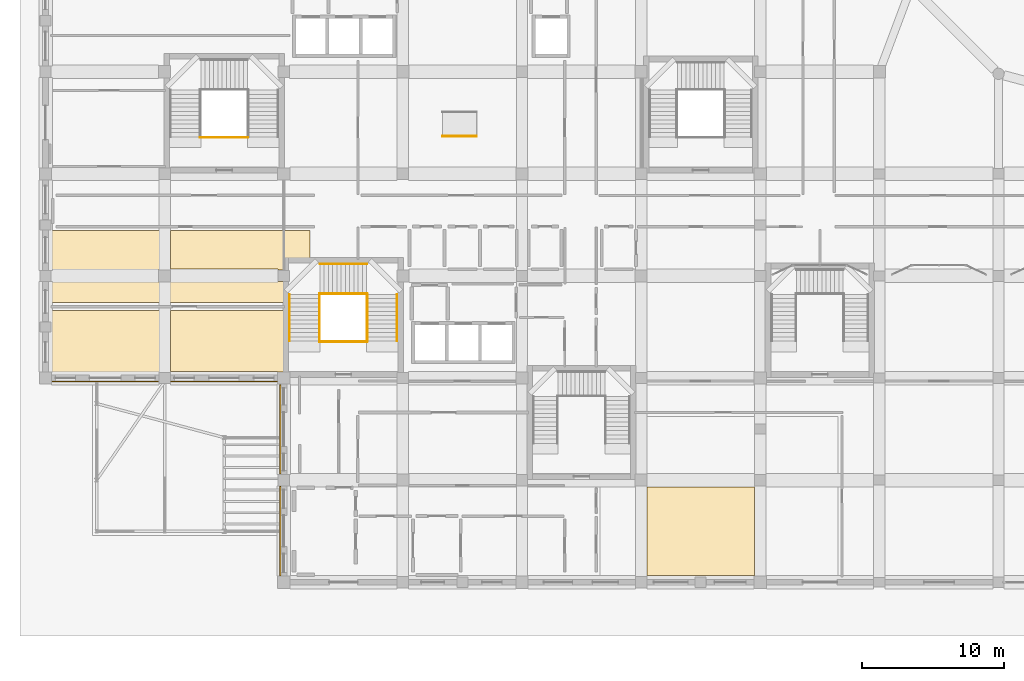
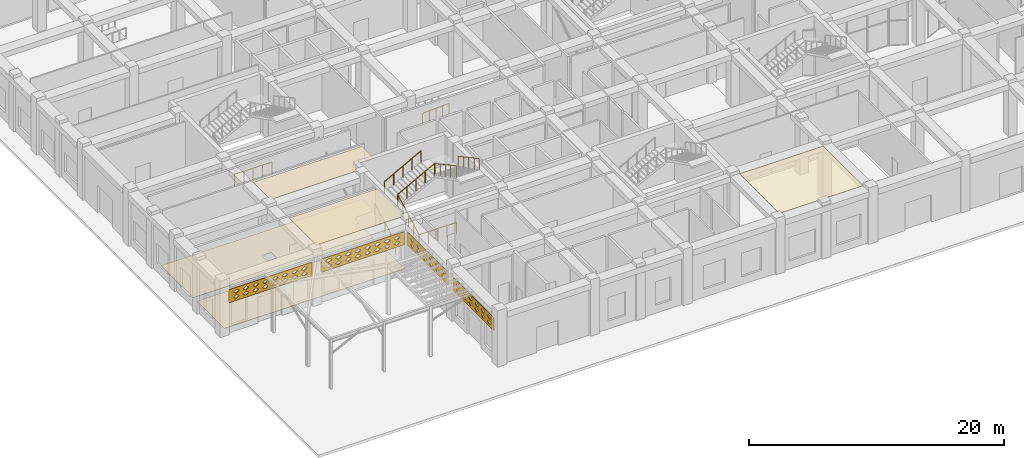
# One storey, part 79 of 84: 9 coverings, 9 railings.
"""IFC4 building model written with IfcOpenShell, lengths in metres."""

from ifc_helpers import new_model, si_unit, derived_unit, direction, frame, origin, origin_2d, place, context, subcontext, project, spatial, polyline, circle, outline, extrude, material, layer, layer_set, type_object, element, save


model = new_model("IFC4")

# Units and contexts
model_context = context("Model", 3, precision=1e-05, world=origin(), true_north=direction((0.0, 1.0)))
body_context = subcontext(model_context, "Body", "Model", "MODEL_VIEW")
ifc_project = project(units=[si_unit("LENGTHUNIT", "METRE"), si_unit("AREAUNIT", "SQUARE_METRE"), si_unit("VOLUMEUNIT", "CUBIC_METRE"), si_unit("PLANEANGLEUNIT", "RADIAN"), si_unit("MASSUNIT", "GRAM", prefix="KILO"), derived_unit("THERMALTRANSMITTANCEUNIT", [(si_unit("POWERUNIT", "WATT"), 1), (si_unit("LENGTHUNIT", "METRE"), -2), (si_unit("THERMODYNAMICTEMPERATUREUNIT", "KELVIN"), -1)])], contexts=[model_context])

# Site, building, storey
site_placement = place(None, origin())
site = spatial("IfcSite", under=ifc_project, at=site_placement, CompositionType="ELEMENT")
building_placement = place(site_placement, origin())
building = spatial("IfcBuilding", under=site, at=building_placement, Name="Veybourne Emporium", CompositionType="ELEMENT")
storey_placement = place(building_placement, origin())
storey = spatial("IfcBuildingStorey", under=building, at=storey_placement, Name="L00", CompositionType="ELEMENT", Elevation=0.0)

# Coverings
ifc_material_1 = material(Name="Mineral Acoustic Ceiling", Category="gypsum")
ifc_layer_1 = layer(ifc_material_1, 0.02490234375)
ifc_layer_set_1 = layer_set([ifc_layer_1], Name="Mineral Acoustic Ceiling")
covering_type_1 = type_object("IfcCoveringType", Name="Ceiling_CLG-01", PredefinedType="CEILING", material=ifc_layer_set_1)
covering_1_placement = place(storey_placement, frame((0.0, 0.0, 5.054931640625)))
element("IfcCovering", 1, at=covering_1_placement, inside=storey, type_object=covering_type_1, Name="L00 coffered acoustic ceiling 01", PredefinedType="CEILING", context=body_context, shape_type="SweptSolid", body=[
    extrude(outline(polyline([(16.790283203125, 14.840087890625), (16.375, 14.840087890625), (16.375, 14.873046875), (8.800048828125, 14.873046875), (8.800048828125, 14.840087890625), (8.798095703125, 14.840087890625), (8.798095703125, 19.159912109375), (16.7900390625, 19.159912109375), (16.7900390625, 14.85009765625), (16.790283203125, 14.840087890625), (16.790283203125, 14.840087890625)])), origin(), (0.0, 0.0, 1.0), 0.025146484375),
])
covering_2_placement = place(storey_placement, frame((0.0, 0.0, 5.054931640625)))
element("IfcCovering", 2, at=covering_2_placement, inside=storey, type_object=covering_type_1, Name="L00 coffered acoustic ceiling 02", PredefinedType="CEILING", context=body_context, shape_type="SweptSolid", body=[
    extrude(outline(polyline([(18.6533203125, 24.7900390625), (18.6533203125, 22.860107421875), (17.14990234375, 22.860107421875), (17.14013671875, 22.85986328125), (17.12451171875, 22.85888671875), (17.10498046875, 22.857177734375), (17.089599609375, 22.854736328125), (17.070068359375, 22.850830078125), (17.054931640625, 22.84716796875), (17.0361328125, 22.84130859375), (17.021484375, 22.836181640625), (17.003173828125, 22.82861328125), (16.989013671875, 22.822021484375), (16.9716796875, 22.812744140625), (16.958251953125, 22.8046875), (16.94189453125, 22.793701171875), (16.92919921875, 22.7841796875), (16.914306640625, 22.77197265625), (16.902587890625, 22.761474609375), (16.888671875, 22.747314453125), (16.878173828125, 22.73583984375), (16.86572265625, 22.720703125), (16.8564453125, 22.7080078125), (16.845458984375, 22.691650390625), (16.83740234375, 22.67822265625), (16.828125, 22.660888671875), (16.8212890625, 22.646728515625), (16.81396484375, 22.628662109375), (16.80859375, 22.61376953125), (16.802978515625, 22.594970703125), (16.799072265625, 22.579833984375), (16.795166015625, 22.560546875), (16.79296875, 22.544921875), (16.791015625, 22.525390625), (16.790283203125, 22.509765625), (16.7900390625, 22.5), (16.7900390625, 22.0048828125), (16.39990234375, 22.0048828125), (16.39990234375, 22.072998046875), (8.824951171875, 22.072998046875), (8.824951171875, 22.030029296875), (8.798095703125, 22.030029296875), (8.798095703125, 24.7900390625), (18.6533203125, 24.7900390625)])), origin(), (0.0, 0.0, 1.0), 0.025146484375),
])
covering_3_placement = place(storey_placement, frame((0.0, 0.0, 5.054931640625)))
element("IfcCovering", 3, at=covering_3_placement, inside=storey, type_object=covering_type_1, Name="L00 coffered acoustic ceiling 06", PredefinedType="CEILING", context=body_context, shape_type="SweptSolid", body=[
    extrude(outline(polyline([(42.425048828125, 6.77001953125), (42.425048828125, 6.72705078125), (50.0, 6.72705078125), (50.0, 6.794921875), (50.001953125, 6.794921875), (50.001953125, 0.43994140625), (49.97509765625, 0.43994140625), (49.97509765625, 0.472900390625), (42.39990234375, 0.472900390625), (42.39990234375, 0.43994140625), (42.39794921875, 0.43994140625), (42.39794921875, 6.77001953125), (42.425048828125, 6.77001953125)])), origin(), (0.0, 0.0, 1.0), 0.025146484375),
])
ifc_material_2 = material(Name="Venetian Terrazzo Flooring", Category="masonry")
ifc_layer_2 = layer(ifc_material_2, 0.044921875)
ifc_layer_set_2 = layer_set([ifc_layer_2], Name="Venetian Terrazzo Flooring")
covering_type_2 = type_object("IfcCoveringType", Name="Flooring_FLR-01", PredefinedType="FLOORING", material=ifc_layer_set_2)
covering_4_placement = place(storey_placement, origin())
element("IfcCovering", 4, at=covering_4_placement, inside=storey, type_object=covering_type_2, Name="L00 floor finish 01", PredefinedType="FLOORING", context=body_context, shape_type="SweptSolid", body=[
    extrude(outline(polyline([(16.790283203125, 14.840087890625), (16.790283203125, 14.840087890625), (0.43994140625, 14.840087890625), (0.43994140625, 19.159912109375), (16.7900390625, 19.159912109375), (16.7900390625, 14.85009765625), (16.790283203125, 14.840087890625)])), origin(), (0.0, 0.0, 1.0), 0.044921875),
])
ifc_material_3 = material(Name="European Oak Parquet", Category="wood")
ifc_layer_3 = layer(ifc_material_3, 0.034912109375)
ifc_layer_set_3 = layer_set([ifc_layer_3], Name="European Oak Parquet")
covering_type_3 = type_object("IfcCoveringType", Name="Flooring_FLR-02", PredefinedType="FLOORING", material=ifc_layer_set_3)
covering_5_placement = place(storey_placement, origin())
element("IfcCovering", 5, at=covering_5_placement, inside=storey, type_object=covering_type_3, Name="L00 floor finish 02", PredefinedType="FLOORING", context=body_context, shape_type="SweptSolid", body=[
    extrude(outline(polyline([(0.453369140625, 24.8212890625), (0.471435546875, 24.81396484375), (0.486083984375, 24.80859375), (0.5048828125, 24.802978515625), (0.520263671875, 24.799072265625), (0.53955078125, 24.795166015625), (0.554931640625, 24.79296875), (0.574462890625, 24.791015625), (0.590087890625, 24.790283203125), (0.60009765625, 24.7900390625), (18.6533203125, 24.7900390625), (18.6533203125, 22.860107421875), (17.14990234375, 22.860107421875), (17.14013671875, 22.85986328125), (17.12451171875, 22.85888671875), (17.10498046875, 22.857177734375), (17.089599609375, 22.854736328125), (17.070068359375, 22.850830078125), (17.054931640625, 22.84716796875), (17.0361328125, 22.84130859375), (17.021484375, 22.836181640625), (17.003173828125, 22.82861328125), (16.989013671875, 22.822021484375), (16.9716796875, 22.812744140625), (16.958251953125, 22.8046875), (16.94189453125, 22.793701171875), (16.92919921875, 22.7841796875), (16.914306640625, 22.77197265625), (16.902587890625, 22.761474609375), (16.888671875, 22.747314453125), (16.878173828125, 22.73583984375), (16.86572265625, 22.720703125), (16.8564453125, 22.7080078125), (16.845458984375, 22.691650390625), (16.83740234375, 22.67822265625), (16.828125, 22.660888671875), (16.8212890625, 22.646728515625), (16.81396484375, 22.628662109375), (16.80859375, 22.61376953125), (16.802978515625, 22.594970703125), (16.799072265625, 22.579833984375), (16.795166015625, 22.560546875), (16.79296875, 22.544921875), (16.791015625, 22.525390625), (16.790283203125, 22.509765625), (16.7900390625, 22.5), (16.7900390625, 22.0048828125), (16.39501953125, 22.0048828125), (16.39501953125, 21.195068359375), (16.7900390625, 21.195068359375), (16.7900390625, 19.719970703125), (0.43994140625, 19.719970703125), (0.43994140625, 24.82763671875), (0.453369140625, 24.8212890625)]), holes=[polyline([(8.830078125, 22.030029296875), (7.969970703125, 22.030029296875), (7.969970703125, 21.169921875), (8.830078125, 21.169921875), (8.830078125, 22.030029296875)])]), origin(), (0.0, 0.0, 1.0), 0.034912109375),
])
ifc_material_4 = material(Name="Patinated Dark Bronze Fretwork", Category="bronze")
ifc_layer_4 = layer(ifc_material_4, 0.06005859375)
ifc_layer_set_4 = layer_set([ifc_layer_4], Name="Patinated Dark Bronze Fretwork")
covering_type_4 = type_object("IfcCoveringType", Name="Fretwork_FRT-01", PredefinedType="CLADDING", material=ifc_layer_set_4)
covering_6_placement = place(storey_placement, frame((4.21240234375, 14.130859375, 3.550048828125), z_axis=(0.0, 1.0, 0.0), x_axis=(-1.0, 0.0, 0.0)))
element("IfcCovering", 6, at=covering_6_placement, inside=storey, type_object=covering_type_4, Name="Corner entrance dark bronze lace fretwork frieze L00-001", PredefinedType="CLADDING", context=body_context, shape_type="SweptSolid", body=[
    extrude(outline(polyline([(-3.74755859375, -0.625), (3.74755859375, -0.625), (3.74755859375, 0.625), (-3.74755859375, 0.625), (-3.74755859375, -0.625)]), holes=[polyline([(-3.086669921875, -0.060546875), (-2.806640625, -0.25244140625), (-3.086669921875, -0.4443359375), (-3.36669921875, -0.25244140625), (-3.086669921875, -0.060546875)]), polyline([(-3.086669921875, 0.4443359375), (-2.806640625, 0.25244140625), (-3.086669921875, 0.060546875), (-3.36669921875, 0.25244140625), (-3.086669921875, 0.4443359375)]), polyline([(-2.20458984375, -0.060546875), (-1.9248046875, -0.25244140625), (-2.20458984375, -0.4443359375), (-2.484619140625, -0.25244140625), (-2.20458984375, -0.060546875)]), polyline([(-2.20458984375, 0.4443359375), (-1.9248046875, 0.25244140625), (-2.20458984375, 0.060546875), (-2.484619140625, 0.25244140625), (-2.20458984375, 0.4443359375)]), polyline([(-1.32275390625, -0.060546875), (-1.042724609375, -0.25244140625), (-1.32275390625, -0.4443359375), (-1.602783203125, -0.25244140625), (-1.32275390625, -0.060546875)]), polyline([(-1.32275390625, 0.4443359375), (-1.042724609375, 0.25244140625), (-1.32275390625, 0.060546875), (-1.602783203125, 0.25244140625), (-1.32275390625, 0.4443359375)]), polyline([(-0.44091796875, -0.060546875), (-0.160888671875, -0.25244140625), (-0.44091796875, -0.4443359375), (-0.720947265625, -0.25244140625), (-0.44091796875, -0.060546875)]), polyline([(-0.44091796875, 0.4443359375), (-0.160888671875, 0.25244140625), (-0.44091796875, 0.060546875), (-0.720947265625, 0.25244140625), (-0.44091796875, 0.4443359375)]), polyline([(0.44091796875, -0.060546875), (0.720947265625, -0.25244140625), (0.44091796875, -0.4443359375), (0.160888671875, -0.25244140625), (0.44091796875, -0.060546875)]), polyline([(0.44091796875, 0.4443359375), (0.720947265625, 0.25244140625), (0.44091796875, 0.060546875), (0.160888671875, 0.25244140625), (0.44091796875, 0.4443359375)]), polyline([(1.32275390625, -0.060546875), (1.602783203125, -0.25244140625), (1.32275390625, -0.4443359375), (1.042724609375, -0.25244140625), (1.32275390625, -0.060546875)]), polyline([(1.32275390625, 0.4443359375), (1.602783203125, 0.25244140625), (1.32275390625, 0.060546875), (1.042724609375, 0.25244140625), (1.32275390625, 0.4443359375)]), polyline([(2.20458984375, -0.060546875), (2.484619140625, -0.25244140625), (2.20458984375, -0.4443359375), (1.9248046875, -0.25244140625), (2.20458984375, -0.060546875)]), polyline([(2.20458984375, 0.4443359375), (2.484619140625, 0.25244140625), (2.20458984375, 0.060546875), (1.9248046875, 0.25244140625), (2.20458984375, 0.4443359375)]), polyline([(3.086669921875, -0.060546875), (3.36669921875, -0.25244140625), (3.086669921875, -0.4443359375), (2.806640625, -0.25244140625), (3.086669921875, -0.060546875)]), polyline([(3.086669921875, 0.4443359375), (3.36669921875, 0.25244140625), (3.086669921875, 0.060546875), (2.806640625, 0.25244140625), (3.086669921875, 0.4443359375)])]), origin(), (0.0, 0.0, 1.0), 0.06005859375),
])
covering_7_placement = place(storey_placement, frame((12.58740234375, 14.130859375, 3.550048828125), z_axis=(0.0, 1.0, 0.0), x_axis=(-1.0, 0.0, 0.0)))
element("IfcCovering", 7, at=covering_7_placement, inside=storey, type_object=covering_type_4, Name="Corner entrance dark bronze lace fretwork frieze L00-012", PredefinedType="CLADDING", context=body_context, shape_type="SweptSolid", body=[
    extrude(outline(polyline([(-3.74755859375, -0.625), (3.74755859375, -0.625), (3.74755859375, 0.625), (-3.74755859375, 0.625), (-3.74755859375, -0.625)]), holes=[polyline([(-3.086669921875, -0.060546875), (-2.806640625, -0.25244140625), (-3.086669921875, -0.4443359375), (-3.36669921875, -0.25244140625), (-3.086669921875, -0.060546875)]), polyline([(-3.086669921875, 0.4443359375), (-2.806640625, 0.25244140625), (-3.086669921875, 0.060546875), (-3.36669921875, 0.25244140625), (-3.086669921875, 0.4443359375)]), polyline([(-2.20458984375, -0.060546875), (-1.9248046875, -0.25244140625), (-2.20458984375, -0.4443359375), (-2.484619140625, -0.25244140625), (-2.20458984375, -0.060546875)]), polyline([(-2.20458984375, 0.4443359375), (-1.9248046875, 0.25244140625), (-2.20458984375, 0.060546875), (-2.484619140625, 0.25244140625), (-2.20458984375, 0.4443359375)]), polyline([(-1.32275390625, -0.060546875), (-1.042724609375, -0.25244140625), (-1.32275390625, -0.4443359375), (-1.602783203125, -0.25244140625), (-1.32275390625, -0.060546875)]), polyline([(-1.32275390625, 0.4443359375), (-1.042724609375, 0.25244140625), (-1.32275390625, 0.060546875), (-1.602783203125, 0.25244140625), (-1.32275390625, 0.4443359375)]), polyline([(-0.44091796875, -0.060546875), (-0.160888671875, -0.25244140625), (-0.44091796875, -0.4443359375), (-0.720947265625, -0.25244140625), (-0.44091796875, -0.060546875)]), polyline([(-0.44091796875, 0.4443359375), (-0.160888671875, 0.25244140625), (-0.44091796875, 0.060546875), (-0.720947265625, 0.25244140625), (-0.44091796875, 0.4443359375)]), polyline([(0.44091796875, -0.060546875), (0.720947265625, -0.25244140625), (0.44091796875, -0.4443359375), (0.160888671875, -0.25244140625), (0.44091796875, -0.060546875)]), polyline([(0.44091796875, 0.4443359375), (0.720947265625, 0.25244140625), (0.44091796875, 0.060546875), (0.160888671875, 0.25244140625), (0.44091796875, 0.4443359375)]), polyline([(1.32275390625, -0.060546875), (1.602783203125, -0.25244140625), (1.32275390625, -0.4443359375), (1.042724609375, -0.25244140625), (1.32275390625, -0.060546875)]), polyline([(1.32275390625, 0.4443359375), (1.602783203125, 0.25244140625), (1.32275390625, 0.060546875), (1.042724609375, 0.25244140625), (1.32275390625, 0.4443359375)]), polyline([(2.20458984375, -0.060546875), (2.484619140625, -0.25244140625), (2.20458984375, -0.4443359375), (1.9248046875, -0.25244140625), (2.20458984375, -0.060546875)]), polyline([(2.20458984375, 0.4443359375), (2.484619140625, 0.25244140625), (2.20458984375, 0.060546875), (1.9248046875, 0.25244140625), (2.20458984375, 0.4443359375)]), polyline([(3.086669921875, -0.060546875), (3.36669921875, -0.25244140625), (3.086669921875, -0.4443359375), (2.806640625, -0.25244140625), (3.086669921875, -0.060546875)]), polyline([(3.086669921875, 0.4443359375), (3.36669921875, 0.25244140625), (3.086669921875, 0.060546875), (2.806640625, 0.25244140625), (3.086669921875, 0.4443359375)])]), origin(), (0.0, 0.0, 1.0), 0.06005859375),
])
covering_8_placement = place(storey_placement, frame((16.531005859375, 3.612548828125, 3.550048828125), z_axis=(1.0, 0.0, 0.0), x_axis=(0.0, 1.0, 0.0)))
element("IfcCovering", 8, at=covering_8_placement, inside=storey, type_object=covering_type_4, Name="Corner entrance dark bronze lace fretwork frieze L00-015", PredefinedType="CLADDING", context=body_context, shape_type="SweptSolid", body=[
    extrude(outline(polyline([(-3.1474609375, -0.625), (3.1474609375, -0.625), (3.1474609375, 0.625), (-3.1474609375, 0.625), (-3.1474609375, -0.625)]), holes=[polyline([(-2.439697265625, -0.060546875), (-2.15966796875, -0.25244140625), (-2.439697265625, -0.4443359375), (-2.719482421875, -0.25244140625), (-2.439697265625, -0.060546875)]), polyline([(-2.439697265625, 0.4443359375), (-2.15966796875, 0.25244140625), (-2.439697265625, 0.060546875), (-2.719482421875, 0.25244140625), (-2.439697265625, 0.4443359375)]), polyline([(-1.4638671875, -0.060546875), (-1.183837890625, -0.25244140625), (-1.4638671875, -0.4443359375), (-1.743896484375, -0.25244140625), (-1.4638671875, -0.060546875)]), polyline([(-1.4638671875, 0.4443359375), (-1.183837890625, 0.25244140625), (-1.4638671875, 0.060546875), (-1.743896484375, 0.25244140625), (-1.4638671875, 0.4443359375)]), polyline([(-0.48779296875, -0.060546875), (-0.2080078125, -0.25244140625), (-0.48779296875, -0.4443359375), (-0.767822265625, -0.25244140625), (-0.48779296875, -0.060546875)]), polyline([(-0.48779296875, 0.4443359375), (-0.2080078125, 0.25244140625), (-0.48779296875, 0.060546875), (-0.767822265625, 0.25244140625), (-0.48779296875, 0.4443359375)]), polyline([(0.48779296875, -0.060546875), (0.767822265625, -0.25244140625), (0.48779296875, -0.4443359375), (0.2080078125, -0.25244140625), (0.48779296875, -0.060546875)]), polyline([(0.48779296875, 0.4443359375), (0.767822265625, 0.25244140625), (0.48779296875, 0.060546875), (0.2080078125, 0.25244140625), (0.48779296875, 0.4443359375)]), polyline([(1.463623046875, -0.060546875), (1.74365234375, -0.25244140625), (1.463623046875, -0.4443359375), (1.18359375, -0.25244140625), (1.463623046875, -0.060546875)]), polyline([(1.463623046875, 0.4443359375), (1.74365234375, 0.25244140625), (1.463623046875, 0.060546875), (1.18359375, 0.25244140625), (1.463623046875, 0.4443359375)]), polyline([(2.439697265625, -0.060546875), (2.719482421875, -0.25244140625), (2.439697265625, -0.4443359375), (2.15966796875, -0.25244140625), (2.439697265625, -0.060546875)]), polyline([(2.439697265625, 0.4443359375), (2.719482421875, 0.25244140625), (2.439697265625, 0.060546875), (2.15966796875, 0.25244140625), (2.439697265625, 0.4443359375)])]), origin(), (0.0, 0.0, 1.0), 0.06005859375),
])
covering_9_placement = place(storey_placement, frame((16.531005859375, 10.78759765625, 3.550048828125), z_axis=(1.0, 0.0, 0.0), x_axis=(0.0, 1.0, 0.0)))
element("IfcCovering", 9, at=covering_9_placement, inside=storey, type_object=covering_type_4, Name="Corner entrance dark bronze lace fretwork frieze L00-016", PredefinedType="CLADDING", context=body_context, shape_type="SweptSolid", body=[
    extrude(outline(polyline([(-3.1474609375, -0.625), (3.1474609375, -0.625), (3.1474609375, 0.625), (-3.1474609375, 0.625), (-3.1474609375, -0.625)]), holes=[polyline([(-2.439697265625, -0.060546875), (-2.15966796875, -0.25244140625), (-2.439697265625, -0.4443359375), (-2.719482421875, -0.25244140625), (-2.439697265625, -0.060546875)]), polyline([(-2.439697265625, 0.4443359375), (-2.15966796875, 0.25244140625), (-2.439697265625, 0.060546875), (-2.719482421875, 0.25244140625), (-2.439697265625, 0.4443359375)]), polyline([(-1.4638671875, -0.060546875), (-1.183837890625, -0.25244140625), (-1.4638671875, -0.4443359375), (-1.743896484375, -0.25244140625), (-1.4638671875, -0.060546875)]), polyline([(-1.4638671875, 0.4443359375), (-1.183837890625, 0.25244140625), (-1.4638671875, 0.060546875), (-1.743896484375, 0.25244140625), (-1.4638671875, 0.4443359375)]), polyline([(-0.48779296875, -0.060546875), (-0.2080078125, -0.25244140625), (-0.48779296875, -0.4443359375), (-0.767822265625, -0.25244140625), (-0.48779296875, -0.060546875)]), polyline([(-0.48779296875, 0.4443359375), (-0.2080078125, 0.25244140625), (-0.48779296875, 0.060546875), (-0.767822265625, 0.25244140625), (-0.48779296875, 0.4443359375)]), polyline([(0.48779296875, -0.060546875), (0.767822265625, -0.25244140625), (0.48779296875, -0.4443359375), (0.2080078125, -0.25244140625), (0.48779296875, -0.060546875)]), polyline([(0.48779296875, 0.4443359375), (0.767822265625, 0.25244140625), (0.48779296875, 0.060546875), (0.2080078125, 0.25244140625), (0.48779296875, 0.4443359375)]), polyline([(1.463623046875, -0.060546875), (1.74365234375, -0.25244140625), (1.463623046875, -0.4443359375), (1.18359375, -0.25244140625), (1.463623046875, -0.060546875)]), polyline([(1.463623046875, 0.4443359375), (1.74365234375, 0.25244140625), (1.463623046875, 0.060546875), (1.18359375, 0.25244140625), (1.463623046875, 0.4443359375)]), polyline([(2.439697265625, -0.060546875), (2.719482421875, -0.25244140625), (2.439697265625, -0.4443359375), (2.15966796875, -0.25244140625), (2.439697265625, -0.060546875)]), polyline([(2.439697265625, 0.4443359375), (2.719482421875, 0.25244140625), (2.439697265625, 0.060546875), (2.15966796875, 0.25244140625), (2.439697265625, 0.4443359375)])]), origin(), (0.0, 0.0, 1.0), 0.06005859375),
])

# Railings
ifc_material_5 = material(Name="Brushed Stainless Steel", Category="steel")
railing_type_1 = type_object("IfcRailingType", Name="Guard_GR-01", PredefinedType="GUARDRAIL", material=ifc_material_5)
railing_1_placement = place(storey_placement, frame((19.31005859375, 17.0, 0.0)))
element("IfcRailing", 10, at=railing_1_placement, inside=storey, type_object=railing_type_1, Name="L00 ST-01 stair guard 1", PredefinedType="GUARDRAIL", context=body_context, shape_type="SweptSolid", body=[
    extrude(circle(Radius=0.02392578125, at=origin_2d()), frame((0.0, 0.0, 1.1259765625), z_axis=(0.0, 0.877893090839, 0.478856681124), x_axis=(-1.0, 0.0, 0.0)), (0.0, 0.0, 1.0), 3.759033203125),
    extrude(circle(Radius=0.02392578125, at=origin_2d()), frame((0.0, 3.300048828125, 2.92578125), z_axis=(0.0, 1.0, 0.0), x_axis=(-1.0, 0.0, 0.0)), (0.0, 0.0, 1.0), 0.0400390625),
    extrude(circle(Radius=0.02099609375, at=origin_2d()), origin(), (0.0, 0.0, 1.0), 1.101806640625),
    extrude(circle(Radius=0.02099609375, at=origin_2d()), frame((0.0, 0.824951171875, 0.449951171875)), (0.0, 0.0, 1.0), 1.101806640625),
    extrude(circle(Radius=0.02099609375, at=origin_2d()), frame((0.0, 1.64990234375, 0.89990234375)), (0.0, 0.0, 1.0), 1.101806640625),
    extrude(circle(Radius=0.02099609375, at=origin_2d()), frame((0.0, 2.47509765625, 1.35009765625)), (0.0, 0.0, 1.0), 1.101806640625),
    extrude(circle(Radius=0.02099609375, at=origin_2d()), frame((0.0, 3.300048828125, 1.800048828125)), (0.0, 0.0, 1.0), 1.101806640625),
    extrude(circle(Radius=0.02099609375, at=origin_2d()), frame((0.0, 3.340087890625, 1.800048828125)), (0.0, 0.0, 1.0), 1.101806640625),
])
railing_2_placement = place(storey_placement, frame((19.31005859375, 20.340087890625, 1.800048828125)))
element("IfcRailing", 11, at=railing_2_placement, inside=storey, type_object=railing_type_1, Name="L00 ST-01 stair guard 2", PredefinedType="GUARDRAIL", context=body_context, shape_type="SweptSolid", body=[
    extrude(circle(Radius=0.02392578125, at=origin_2d()), frame((0.0, 0.0, 1.1259765625), z_axis=(0.880287138734, 0.0, 0.47444130657), x_axis=(0.0, 1.0, 0.0)), (0.0, 0.0, 1.0), 3.7939453125),
    extrude(circle(Radius=0.02392578125, at=origin_2d()), frame((3.33984375, 0.0, 2.92578125), z_axis=(1.0, 0.0, 0.0), x_axis=(0.0, 1.0, 0.0)), (0.0, 0.0, 1.0), 0.0400390625),
    extrude(circle(Radius=0.02099609375, at=origin_2d()), origin(), (0.0, 0.0, 1.0), 1.101806640625),
    extrude(circle(Radius=0.02099609375, at=origin_2d()), frame((0.8349609375, 0.0, 0.449951171875)), (0.0, 0.0, 1.0), 1.101806640625),
    extrude(circle(Radius=0.02099609375, at=origin_2d()), frame((1.669921875, 0.0, 0.89990234375)), (0.0, 0.0, 1.0), 1.101806640625),
    extrude(circle(Radius=0.02099609375, at=origin_2d()), frame((2.5048828125, 0.0, 1.35009765625)), (0.0, 0.0, 1.0), 1.101806640625),
    extrude(circle(Radius=0.02099609375, at=origin_2d()), frame((3.33984375, 0.0, 1.800048828125)), (0.0, 0.0, 1.0), 1.101806640625),
    extrude(circle(Radius=0.02099609375, at=origin_2d()), frame((3.3798828125, 0.0, 1.800048828125)), (0.0, 0.0, 1.0), 1.101806640625),
])
railing_3_placement = place(storey_placement, frame((22.68994140625, 20.340087890625, 3.60009765625)))
element("IfcRailing", 12, at=railing_3_placement, inside=storey, type_object=railing_type_1, Name="L00 ST-01 stair guard 3", PredefinedType="GUARDRAIL", context=body_context, shape_type="SweptSolid", body=[
    extrude(circle(Radius=0.02392578125, at=origin_2d()), frame((0.0, 0.0, 1.1259765625), z_axis=(0.0, -1.0, 0.0), x_axis=(1.0, 0.0, 0.0)), (0.0, 0.0, 1.0), 0.0400390625),
    extrude(circle(Radius=0.02392578125, at=origin_2d()), frame((0.0, -0.0400390625, 1.1259765625), z_axis=(0.0, -0.877920393143, 0.478806624122), x_axis=(1.0, 0.0, 0.0)), (0.0, 0.0, 1.0), 3.759033203125),
    extrude(circle(Radius=0.02099609375, at=origin_2d()), origin(), (0.0, 0.0, 1.0), 1.101806640625),
    extrude(circle(Radius=0.02099609375, at=origin_2d()), frame((0.0, -0.0400390625, 0.0)), (0.0, 0.0, 1.0), 1.101806640625),
    extrude(circle(Radius=0.02099609375, at=origin_2d()), frame((0.0, -0.864990234375, 0.449951171875)), (0.0, 0.0, 1.0), 1.101806640625),
    extrude(circle(Radius=0.02099609375, at=origin_2d()), frame((0.0, -1.68994140625, 0.89990234375)), (0.0, 0.0, 1.0), 1.101806640625),
    extrude(circle(Radius=0.02099609375, at=origin_2d()), frame((0.0, -2.51513671875, 1.349853515625)), (0.0, 0.0, 1.0), 1.101806640625),
    extrude(circle(Radius=0.02099609375, at=origin_2d()), frame((0.0, -3.340087890625, 1.7998046875)), (0.0, 0.0, 1.0), 1.101806640625),
])
railing_4_placement = place(storey_placement, frame((19.31005859375, 16.9599609375, 0.0)))
element("IfcRailing", 13, at=railing_4_placement, inside=storey, type_object=railing_type_1, Name="L00 ST-01 stair guard 4", PredefinedType="GUARDRAIL", context=body_context, shape_type="SweptSolid", body=[
    extrude(circle(Radius=0.02392578125, at=origin_2d()), frame((0.0, 0.0, 1.1259765625), z_axis=(1.0, 0.0, 0.0), x_axis=(0.0, 1.0, 0.0)), (0.0, 0.0, 1.0), 3.3798828125),
    extrude(circle(Radius=0.02099609375, at=origin_2d()), origin(), (0.0, 0.0, 1.0), 1.101806640625),
    extrude(circle(Radius=0.02099609375, at=origin_2d()), frame((0.844970703125, 0.0, 0.0)), (0.0, 0.0, 1.0), 1.101806640625),
    extrude(circle(Radius=0.02099609375, at=origin_2d()), frame((1.68994140625, 0.0, 0.0)), (0.0, 0.0, 1.0), 1.101806640625),
    extrude(circle(Radius=0.02099609375, at=origin_2d()), frame((2.534912109375, 0.0, 0.0)), (0.0, 0.0, 1.0), 1.101806640625),
    extrude(circle(Radius=0.02099609375, at=origin_2d()), frame((3.3798828125, 0.0, 0.0)), (0.0, 0.0, 1.0), 1.101806640625),
])
railing_5_placement = place(storey_placement, frame((10.909912109375, 31.360107421875, 0.0)))
element("IfcRailing", 14, at=railing_5_placement, inside=storey, type_object=railing_type_1, Name="L00 ST-02 stair guard 4", PredefinedType="GUARDRAIL", context=body_context, shape_type="SweptSolid", body=[
    extrude(circle(Radius=0.02392578125, at=origin_2d()), frame((0.0, 0.0, 1.1259765625), z_axis=(1.0, 0.0, 0.0), x_axis=(0.0, 1.0, 0.0)), (0.0, 0.0, 1.0), 3.380126953125),
    extrude(circle(Radius=0.02099609375, at=origin_2d()), origin(), (0.0, 0.0, 1.0), 1.101806640625),
    extrude(circle(Radius=0.02099609375, at=origin_2d()), frame((0.844970703125, 0.0, 0.0)), (0.0, 0.0, 1.0), 1.101806640625),
    extrude(circle(Radius=0.02099609375, at=origin_2d()), frame((1.68994140625, 0.0, 0.0)), (0.0, 0.0, 1.0), 1.101806640625),
    extrude(circle(Radius=0.02099609375, at=origin_2d()), frame((2.53515625, 0.0, 0.0)), (0.0, 0.0, 1.0), 1.101806640625),
    extrude(circle(Radius=0.02099609375, at=origin_2d()), frame((3.380126953125, 0.0, 0.0)), (0.0, 0.0, 1.0), 1.101806640625),
])
railing_type_2 = type_object("IfcRailingType", Name="Handrail_HR-01", PredefinedType="HANDRAIL", material=ifc_material_5)
railing_6_placement = place(storey_placement, frame((17.2099609375, 17.0, 0.14990234375)))
element("IfcRailing", 15, at=railing_6_placement, inside=storey, type_object=railing_type_2, Name="L00 ST-01 pitch handrail 1", PredefinedType="HANDRAIL", context=body_context, shape_type="SweptSolid", body=[
    extrude(circle(Radius=0.02392578125, at=origin_2d()), frame((0.0, 0.0, 0.92578125), z_axis=(0.0, 0.877893090839, 0.478856681124), x_axis=(-1.0, 0.0, 0.0)), (0.0, 0.0, 1.0), 3.759033203125),
    extrude(circle(Radius=0.02099609375, at=origin_2d()), frame((0.0, 0.0, -0.14990234375)), (0.0, 0.0, 1.0), 1.0517578125),
    extrude(circle(Radius=0.02099609375, at=origin_2d()), frame((0.0, 0.824951171875, 0.300048828125)), (0.0, 0.0, 1.0), 1.0517578125),
    extrude(circle(Radius=0.02099609375, at=origin_2d()), frame((0.0, 1.64990234375, 0.75)), (0.0, 0.0, 1.0), 1.0517578125),
    extrude(circle(Radius=0.02099609375, at=origin_2d()), frame((0.0, 2.47509765625, 1.2001953125)), (0.0, 0.0, 1.0), 1.0517578125),
    extrude(circle(Radius=0.02099609375, at=origin_2d()), frame((0.0, 3.300048828125, 1.650146484375)), (0.0, 0.0, 1.0), 1.0517578125),
])
railing_7_placement = place(storey_placement, frame((19.35009765625, 22.43994140625, 1.949951171875)))
element("IfcRailing", 16, at=railing_7_placement, inside=storey, type_object=railing_type_2, Name="L00 ST-01 pitch handrail 2", PredefinedType="HANDRAIL", context=body_context, shape_type="SweptSolid", body=[
    extrude(circle(Radius=0.02392578125, at=origin_2d()), frame((0.0, 0.0, 0.92578125), z_axis=(0.8778781969, 0.0, 0.478883985332), x_axis=(0.0, 1.0, 0.0)), (0.0, 0.0, 1.0), 3.7587890625),
    extrude(circle(Radius=0.02099609375, at=origin_2d()), frame((0.0, 0.0, -0.14990234375)), (0.0, 0.0, 1.0), 1.0517578125),
    extrude(circle(Radius=0.02099609375, at=origin_2d()), frame((0.824951171875, 0.0, 0.300048828125)), (0.0, 0.0, 1.0), 1.0517578125),
    extrude(circle(Radius=0.02099609375, at=origin_2d()), frame((1.64990234375, 0.0, 0.75)), (0.0, 0.0, 1.0), 1.0517578125),
    extrude(circle(Radius=0.02099609375, at=origin_2d()), frame((2.474853515625, 0.0, 1.2001953125)), (0.0, 0.0, 1.0), 1.0517578125),
    extrude(circle(Radius=0.02099609375, at=origin_2d()), frame((3.2998046875, 0.0, 1.650146484375)), (0.0, 0.0, 1.0), 1.0517578125),
])
railing_8_placement = place(storey_placement, frame((24.7900390625, 20.300048828125, 3.75)))
element("IfcRailing", 17, at=railing_8_placement, inside=storey, type_object=railing_type_2, Name="L00 ST-01 pitch handrail 3", PredefinedType="HANDRAIL", context=body_context, shape_type="SweptSolid", body=[
    extrude(circle(Radius=0.02392578125, at=origin_2d()), frame((0.0, 0.0, 0.92578125), z_axis=(0.0, -0.877893090839, 0.478856681124), x_axis=(1.0, 0.0, 0.0)), (0.0, 0.0, 1.0), 3.759033203125),
    extrude(circle(Radius=0.02099609375, at=origin_2d()), frame((0.0, 0.0, -0.14990234375)), (0.0, 0.0, 1.0), 1.0517578125),
    extrude(circle(Radius=0.02099609375, at=origin_2d()), frame((0.0, -0.824951171875, 0.300048828125)), (0.0, 0.0, 1.0), 1.0517578125),
    extrude(circle(Radius=0.02099609375, at=origin_2d()), frame((0.0, -1.64990234375, 0.75)), (0.0, 0.0, 1.0), 1.0517578125),
    extrude(circle(Radius=0.02099609375, at=origin_2d()), frame((0.0, -2.47509765625, 1.2001953125)), (0.0, 0.0, 1.0), 1.0517578125),
    extrude(circle(Radius=0.02099609375, at=origin_2d()), frame((0.0, -3.300048828125, 1.650146484375)), (0.0, 0.0, 1.0), 1.0517578125),
])
railing_9_placement = place(storey_placement, frame((28.0, 31.449951171875, 0.0)))
element("IfcRailing", 18, at=railing_9_placement, inside=storey, type_object=railing_type_2, Name="Ramp RMP-02 handrail 1", PredefinedType="HANDRAIL", context=body_context, shape_type="SweptSolid", body=[
    extrude(circle(Radius=0.02392578125, at=origin_2d()), frame((0.0, 0.0, 0.92578125), z_axis=(0.998749803871, 0.0, 0.049988291303), x_axis=(0.0, 1.0, 0.0)), (0.0, 0.0, 1.0), 2.40283203125),
    extrude(circle(Radius=0.02099609375, at=origin_2d()), origin(), (0.0, 0.0, 1.0), 0.90185546875),
    extrude(circle(Radius=0.02099609375, at=origin_2d()), frame((0.60009765625, 0.0, 0.030029296875)), (0.0, 0.0, 1.0), 0.90185546875),
    extrude(circle(Radius=0.02099609375, at=origin_2d()), frame((1.199951171875, 0.0, 0.06005859375)), (0.0, 0.0, 1.0), 0.90185546875),
    extrude(circle(Radius=0.02099609375, at=origin_2d()), frame((1.7998046875, 0.0, 0.090087890625)), (0.0, 0.0, 1.0), 0.90185546875),
    extrude(circle(Radius=0.02099609375, at=origin_2d()), frame((2.39990234375, 0.0, 0.1201171875)), (0.0, 0.0, 1.0), 0.90185546875),
])

save(model, "model.ifc")
